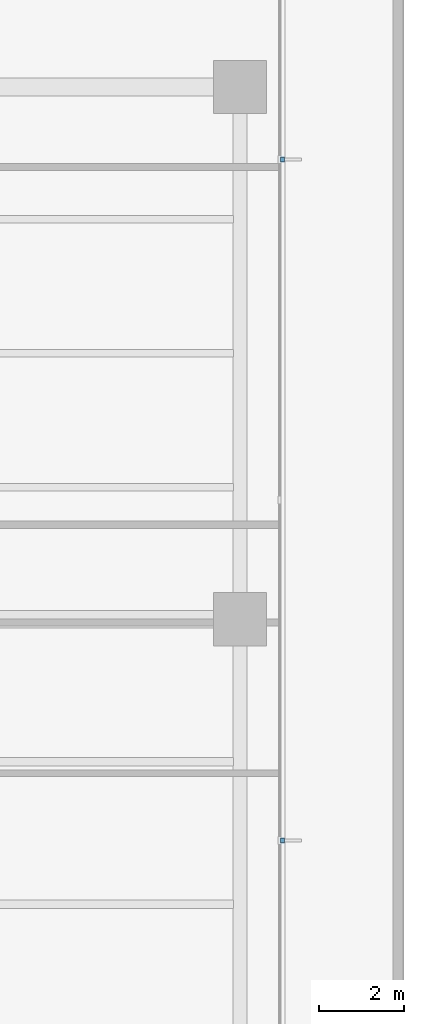
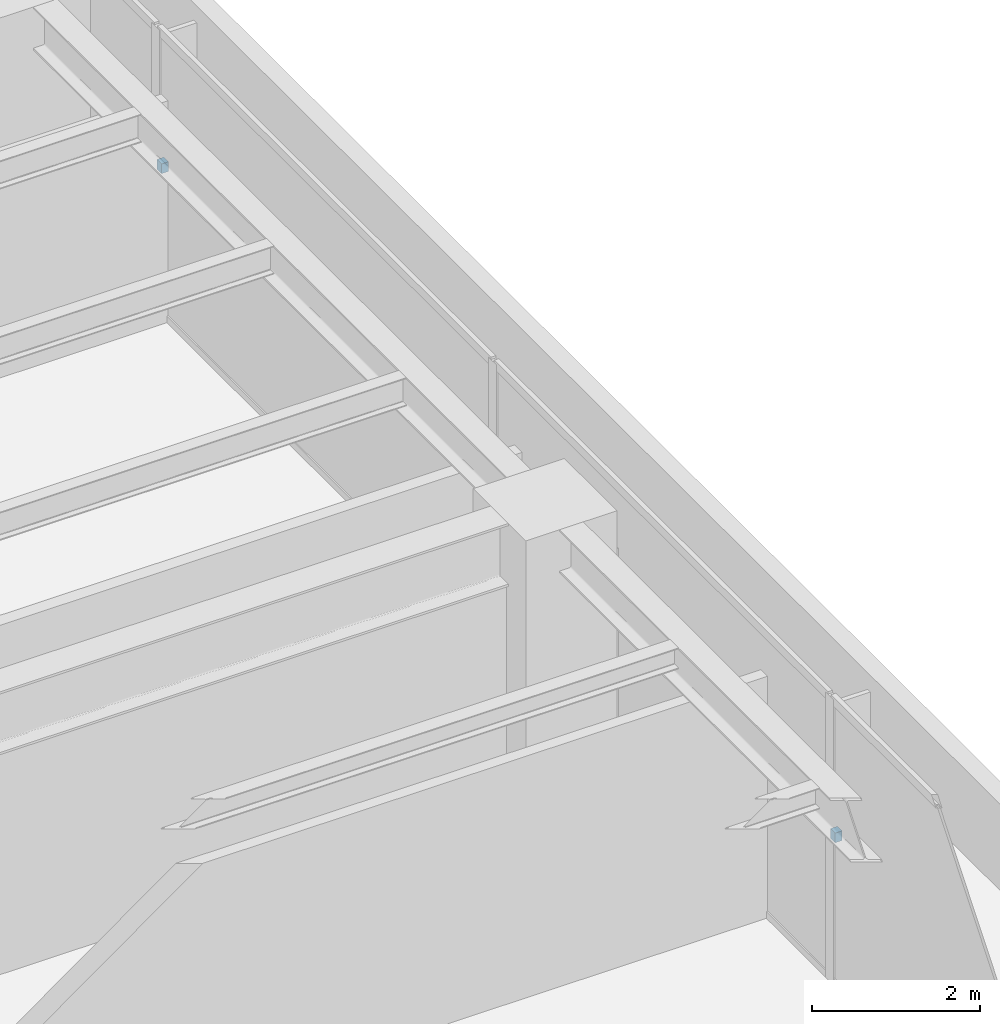
# One storey, part 13 of 16: 2 discrete accessories.
"""IFC4 building model written with IfcOpenShell, lengths in metres."""

from ifc_helpers import new_model, si_unit, direction, frame, origin, place, context, subcontext, project, spatial, polyline, outline, extrude, material, type_object, element, save


model = new_model("IFC4")

# Units and contexts
model_context = context("Model", 3, precision=1e-05, world=origin(), true_north=direction((0.0, 1.0)))
body_context = subcontext(model_context, "Body", "Model", "MODEL_VIEW")
ifc_project = project(units=[si_unit("LENGTHUNIT", "METRE"), si_unit("AREAUNIT", "SQUARE_METRE"), si_unit("VOLUMEUNIT", "CUBIC_METRE"), si_unit("PLANEANGLEUNIT", "RADIAN"), si_unit("MASSUNIT", "GRAM", prefix="KILO")], contexts=[model_context])

# Site, building, storey
site_placement = place(None, origin())
site = spatial("IfcSite", under=ifc_project, at=site_placement, CompositionType="ELEMENT")
building_placement = place(site_placement, origin())
building = spatial("IfcBuilding", under=site, at=building_placement, Name="Qalmaran Belvedere Hotel", CompositionType="ELEMENT")
storey_placement = place(building_placement, frame((0.0, 0.0, 83.800048828125)))
storey = spatial("IfcBuildingStorey", under=building, at=storey_placement, Name="L20", CompositionType="ELEMENT", Elevation=83.800048828125)

# Discrete accessories
ifc_material = material(Name="Stainless Steel 1.4401", Category="steel")
discrete_accessory_type = type_object("IfcDiscreteAccessoryType", Name="BRK-FIN-SS316", PredefinedType="BRACKET", material=ifc_material)
discrete_accessory_1_placement = place(storey_placement, frame((0.0, 0.0, 2.02001953125)))
element("IfcDiscreteAccessory", 1, at=discrete_accessory_1_placement, inside=storey, type_object=discrete_accessory_type, Name="L20 Fin Bracket 1", PredefinedType="BRACKET", context=body_context, shape_type="SweptSolid", body=[
    extrude(outline(polyline([(58.89501953125, 15.2451171875), (58.989990234375, 15.2451171875), (58.989990234375, 15.35498046875), (58.89501953125, 15.35498046875), (58.89501953125, 15.2451171875)])), origin(), (0.0, 0.0, 1.0), 0.139892578125),
])
discrete_accessory_2_placement = place(storey_placement, frame((0.0, 0.0, 2.02001953125)))
element("IfcDiscreteAccessory", 2, at=discrete_accessory_2_placement, inside=storey, type_object=discrete_accessory_type, Name="L20 Fin Bracket 3", PredefinedType="BRACKET", context=body_context, shape_type="SweptSolid", body=[
    extrude(outline(polyline([(58.89501953125, 31.2451171875), (58.989990234375, 31.2451171875), (58.989990234375, 31.35498046875), (58.89501953125, 31.35498046875), (58.89501953125, 31.2451171875)])), origin(), (0.0, 0.0, 1.0), 0.139892578125),
])

save(model, "model.ifc")
